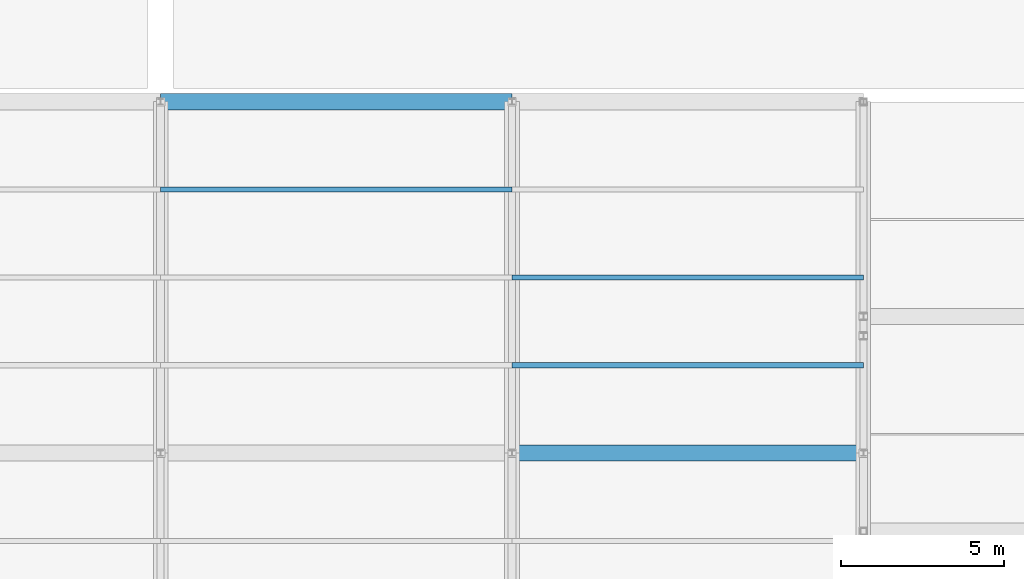
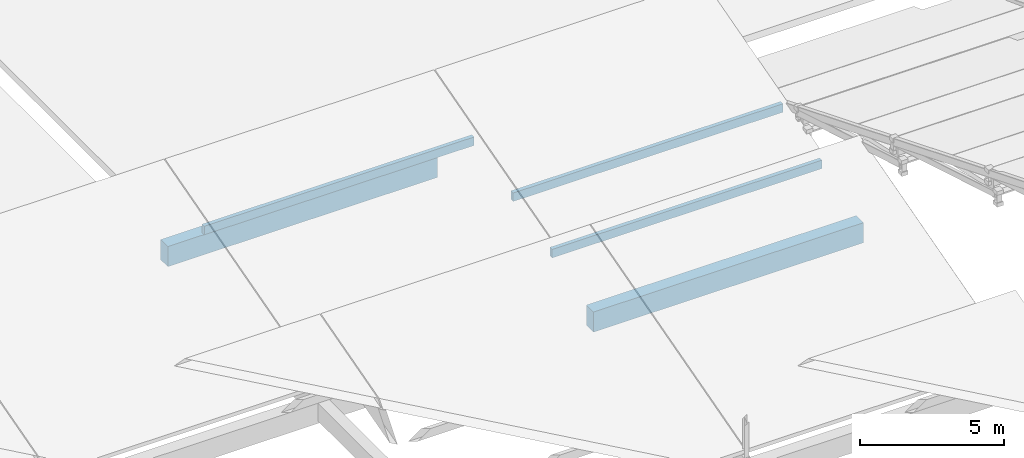
# One storey, part 37 of 112: 3 members, 2 beams.
"""IFC4 building model written with IfcOpenShell, lengths in metres."""

from ifc_helpers import new_model, si_unit, direction, frame, origin, origin_2d, place, context, subcontext, project, spatial, rectangle, extrude, material, material_profile, profile_set, type_object, element, save


model = new_model("IFC4")

# Units and contexts
model_context = context("Model", 3, precision=1e-05, world=origin(), true_north=direction((0.0, 1.0)))
body_context = subcontext(model_context, "Body", "Model", "MODEL_VIEW")
ifc_project = project(units=[si_unit("LENGTHUNIT", "METRE"), si_unit("AREAUNIT", "SQUARE_METRE"), si_unit("VOLUMEUNIT", "CUBIC_METRE"), si_unit("PLANEANGLEUNIT", "RADIAN"), si_unit("MASSUNIT", "GRAM", prefix="KILO")], contexts=[model_context])

# Site, building, storey
site_placement = place(None, origin())
site = spatial("IfcSite", under=ifc_project, at=site_placement, CompositionType="ELEMENT")
building_placement = place(site_placement, origin())
building = spatial("IfcBuilding", under=site, at=building_placement, Name="Zwinboog Wholesale Market", CompositionType="ELEMENT")
storey_placement = place(building_placement, frame((0.0, 0.0, 19.080078125)))
storey = spatial("IfcBuildingStorey", under=building, at=storey_placement, Name="Roof", CompositionType="ELEMENT", Elevation=19.080078125)

# Beams
ifc_material_1 = material(Name="Precast concrete C45/55", Category="concrete")
ifc_material_profile_1 = material_profile(ifc_material_1, rectangle(XDim=0.5, YDim=0.85009765625, at=origin_2d()), Name="PC 500x850")
ifc_profile_set_1 = profile_set([ifc_material_profile_1], Name="Precast concrete C45/55")
beam_type = type_object("IfcBeamType", Name="BT-03", PredefinedType="BEAM", material=ifc_profile_set_1)
for number, where, z_axis, x_axis, name in (
    (1, (54.0, 97.199951171875, -9.425048828125), (1.0, 0.0, 0.0), (0.0, 1.0, 0.0), "BG-03 (BMG-Roof-0540-0972-1198)"),
    (2, (43.199951171875, 108.0, -9.425048828125), (1.0, 0.0, 0.0), (0.0, 1.0, 0.0), "BG-03 (BMG-Roof-0432-1080-1199)"),
):
    element("IfcBeam", number, at=place(storey_placement, frame(where, z_axis=z_axis, x_axis=x_axis)), inside=storey, type_object=beam_type, Name=name, PredefinedType="BEAM", context=body_context, shape_type="SweptSolid", body=[
        extrude(rectangle(XDim=0.5, YDim=0.85009765625, at=origin_2d()), origin(), (0.0, 0.0, 1.0), 10.800048828125),
    ])

# Members
ifc_material_2 = material(Name="Glulam GL28h", Category="wood")
ifc_material_profile_2 = material_profile(ifc_material_2, rectangle(XDim=0.159912109375, YDim=0.360107421875, at=origin_2d()), Name="GL28h 160x360")
ifc_profile_set_2 = profile_set([ifc_material_profile_2], Name="Glulam GL28h")
member_type = type_object("IfcMemberType", Name="MT-12", PredefinedType="PURLIN", material=ifc_profile_set_2)
for number, where, z_axis, x_axis, name in (
    (3, (43.199951171875, 105.300048828125, -6.785888671875), (1.0, 0.0, 0.0), (0.0, 1.0, 0.0), "GP-01 (MEM-Roof-0877)"),
    (4, (54.0, 99.89990234375, -8.273193359375), (1.0, 0.0, 0.0), (0.0, 1.0, 0.0), "GP-01 (MEM-Roof-0882)"),
    (5, (54.0, 102.60009765625, -7.523193359375), (1.0, 0.0, 0.0), (0.0, 1.0, 0.0), "GP-01 (MEM-PRL-Roof-0048)"),
):
    element("IfcMember", number, at=place(storey_placement, frame(where, z_axis=z_axis, x_axis=x_axis)), inside=storey, type_object=member_type, Name=name, PredefinedType="PURLIN", context=body_context, shape_type="SweptSolid", body=[
        extrude(rectangle(XDim=0.159912109375, YDim=0.360107421875, at=origin_2d()), origin(), (0.0, 0.0, 1.0), 10.800048828125),
    ])

save(model, "model.ifc")
